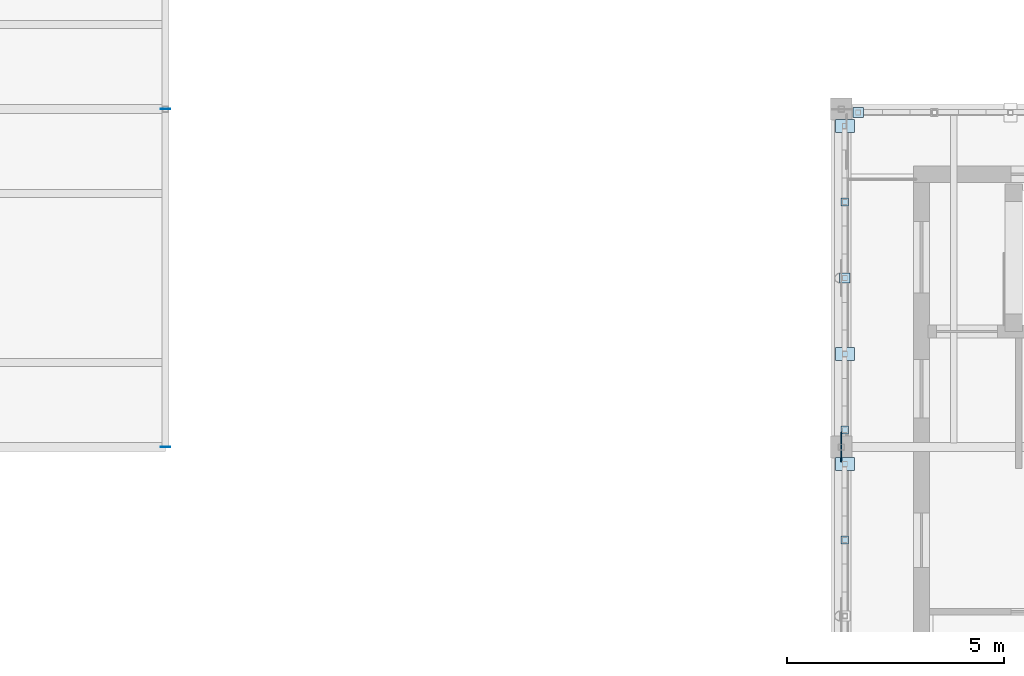
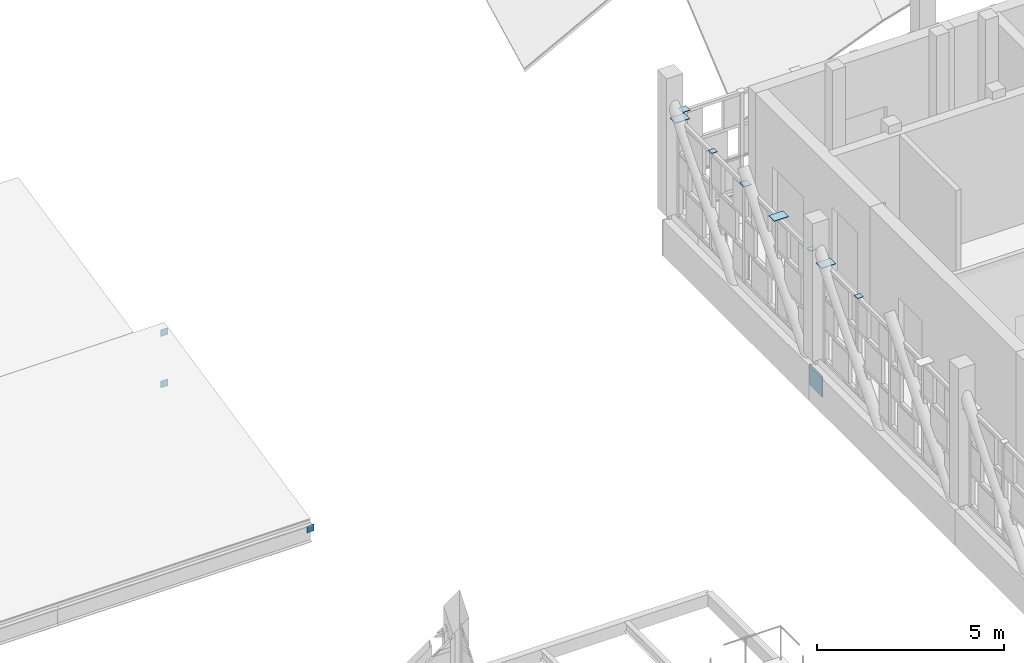
# One storey, part 58 of 89: 12 plates.
"""IFC4 building model written with IfcOpenShell, lengths in metres."""

from ifc_helpers import new_model, si_unit, direction, frame, origin, origin_2d, place, context, subcontext, project, spatial, rectangle, extrude, material, layer, layer_set, type_object, element, save


model = new_model("IFC4")

# Units and contexts
model_context = context("Model", 3, precision=1e-05, world=origin(), true_north=direction((0.0, 1.0)))
body_context = subcontext(model_context, "Body", "Model", "MODEL_VIEW")
ifc_project = project(units=[si_unit("LENGTHUNIT", "METRE"), si_unit("AREAUNIT", "SQUARE_METRE"), si_unit("VOLUMEUNIT", "CUBIC_METRE"), si_unit("PLANEANGLEUNIT", "RADIAN"), si_unit("MASSUNIT", "GRAM", prefix="KILO")], contexts=[model_context])

# Site, building, storey
site_placement = place(None, origin())
site = spatial("IfcSite", under=ifc_project, at=site_placement, CompositionType="ELEMENT")
building_placement = place(site_placement, origin())
building = spatial("IfcBuilding", under=site, at=building_placement, Name="Celorna Specialist Clinic", CompositionType="ELEMENT")
storey_placement = place(building_placement, frame((0.0, 0.0, 14.10009765625)))
storey = spatial("IfcBuildingStorey", under=building, at=storey_placement, Name="L03", CompositionType="ELEMENT", Elevation=14.10009765625)

# Plates
ifc_material = material(Name="Steel S355", Category="steel")
ifc_layer_1 = layer(ifc_material, 0.01611328125, Name="Steel S355")
ifc_layer_set_1 = layer_set([ifc_layer_1], Name="Steel S355")
plate_type_1 = type_object("IfcPlateType", Name="EP-04", PredefinedType="SHEET", material=ifc_layer_set_1)
for number, where, z_axis, x_axis, name in (
    (1, (39.0, 35.10009765625, -0.31201171875), (0.0, 0.0, 1.0), (1.0, 0.0, 0.0), "Rafter chord cap plate ROOF-V2-SAW-1"),
    (2, (39.0, 42.89990234375, 1.35791015625), (0.0, 0.0, 1.0), (1.0, 0.0, 0.0), "Rafter chord cap plate ROOF-V2-SAW-1"),
    (3, (39.0, 42.89990234375, -0.31201171875), (0.0, 0.0, 1.0), (1.0, 0.0, 0.0), "Rafter chord cap plate ROOF-V2-SAW-2"),
):
    element("IfcPlate", number, at=place(storey_placement, frame(where, z_axis=z_axis, x_axis=x_axis)), inside=storey, type_object=plate_type_1, Name=name, PredefinedType="SHEET", context=body_context, shape_type="SweptSolid", body=[
        extrude(rectangle(XDim=0.219970703125, YDim=0.013916015625, at=origin_2d()), origin(), (0.0, 0.0, 1.0), 0.219970703125),
    ])
ifc_layer_2 = layer(ifc_material, 0.011962890625, Name="Steel S355")
ifc_layer_set_2 = layer_set([ifc_layer_2], Name="Steel S355")
plate_type_2 = type_object("IfcPlateType", Name="EP-06", PredefinedType="SHEET", material=ifc_layer_set_2)
for number, where, z_axis, x_axis, name in (
    (4, (54.679931640625, 32.955078125, 3.1796875), (0.0, 0.0, 1.0), (0.0, 1.0, 0.0), "Screen post cap plate EP-06 #312"),
    (5, (54.679931640625, 35.489990234375, 3.1796875), (0.0, 0.0, 1.0), (0.0, 1.0, 0.0), "Screen post cap plate EP-06 #330"),
    (6, (54.679931640625, 40.7548828125, 3.1796875), (0.0, 0.0, 1.0), (0.0, 1.0, 0.0), "Screen post cap plate EP-06 #333"),
):
    element("IfcPlate", number, at=place(storey_placement, frame(where, z_axis=z_axis, x_axis=x_axis)), inside=storey, type_object=plate_type_2, Name=name, PredefinedType="SHEET", context=body_context, shape_type="SweptSolid", body=[
        extrude(rectangle(XDim=0.179931640625, YDim=0.179931640625, at=origin_2d()), origin(), (0.0, 0.0, 1.0), 0.011962890625),
    ])
ifc_layer_3 = layer(ifc_material, 0.01611328125, Name="Steel S355")
ifc_layer_set_3 = layer_set([ifc_layer_3], Name="Steel S355")
plate_type_3 = type_object("IfcPlateType", Name="EP-07", PredefinedType="SHEET", material=ifc_layer_set_3)
for number, where, z_axis, x_axis, name in (
    (7, (54.679931640625, 34.7099609375, 3.179931640625), (0.0, 0.0, 1.0), (0.0, 1.0, 0.0), "Screen post cap plate EP-07 #313"),
    (8, (54.679931640625, 37.2451171875, 3.179931640625), (0.0, 0.0, 1.0), (0.0, 1.0, 0.0), "Screen post cap plate EP-07 #331"),
    (9, (54.679931640625, 42.510009765625, 3.179931640625), (0.0, 0.0, 1.0), (0.0, 1.0, 0.0), "Screen post cap plate EP-07 #334"),
):
    element("IfcPlate", number, at=place(storey_placement, frame(where, z_axis=z_axis, x_axis=x_axis)), inside=storey, type_object=plate_type_3, Name=name, PredefinedType="SHEET", context=body_context, shape_type="SweptSolid", body=[
        extrude(rectangle(XDim=0.300048828125, YDim=0.43994140625, at=origin_2d()), origin(), (0.0, 0.0, 1.0), 0.01611328125),
    ])
ifc_layer_4 = layer(ifc_material, 0.013916015625, Name="Steel S355")
ifc_layer_set_4 = layer_set([ifc_layer_4], Name="Steel S355")
plate_type_4 = type_object("IfcPlateType", Name="EP-08", PredefinedType="SHEET", material=ifc_layer_set_4)
for number, where, z_axis, x_axis, name in (
    (10, (54.679931640625, 39.0, 3.18017578125), (0.0, 0.0, 1.0), (0.0, 1.0, 0.0), "Screen post cap plate EP-08 #332"),
    (11, (54.989990234375, 42.820068359375, 3.18017578125), (0.0, 0.0, 1.0), (1.0, 0.0, 0.0), "Screen post cap plate EP-08 #623"),
):
    element("IfcPlate", number, at=place(storey_placement, frame(where, z_axis=z_axis, x_axis=x_axis)), inside=storey, type_object=plate_type_4, Name=name, PredefinedType="SHEET", context=body_context, shape_type="SweptSolid", body=[
        extrude(rectangle(XDim=0.239990234375, YDim=0.239990234375, at=origin_2d()), origin(), (0.0, 0.0, 1.0), 0.013916015625),
    ])
ifc_layer_5 = layer(ifc_material, 0.02392578125, Name="Steel S355")
ifc_layer_set_5 = layer_set([ifc_layer_5], Name="Steel S355")
plate_type_5 = type_object("IfcPlateType", Name="GP-07", PredefinedType="USERDEFINED", material=ifc_layer_set_5)
plate_placement = place(storey_placement, frame((54.60009765625, 35.10009765625, -1.17529296875), z_axis=(0.0, 0.0, 1.0), x_axis=(0.0, 1.0, 0.0)))
element("IfcPlate", 12, at=plate_placement, inside=storey, type_object=plate_type_5, Name="Truss node gusset plate TN-025", ObjectType="GUSSET PLATE", PredefinedType="USERDEFINED", context=body_context, shape_type="SweptSolid", body=[
    extrude(rectangle(XDim=0.679931640625, YDim=0.02392578125, at=origin_2d()), origin(), (0.0, 0.0, 1.0), 0.679931640625),
])

save(model, "model.ifc")
